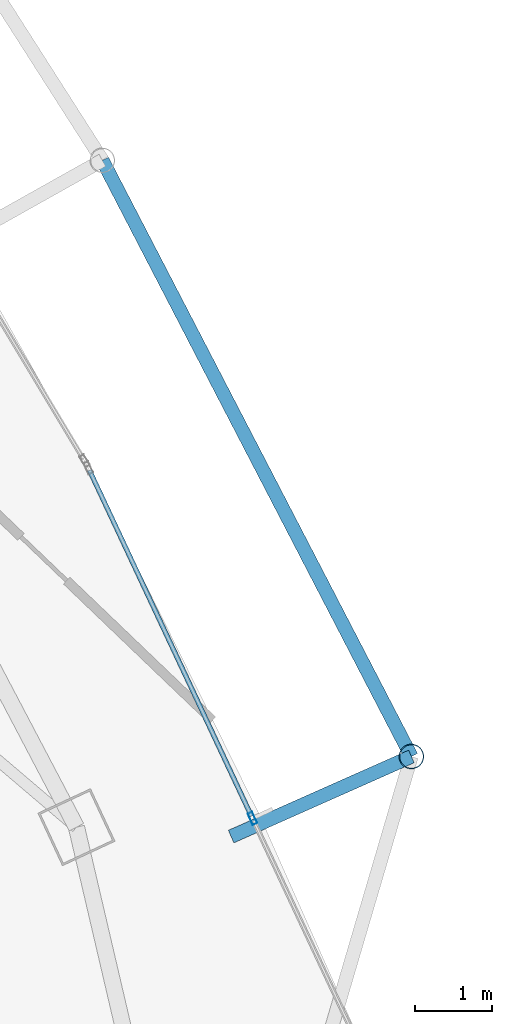
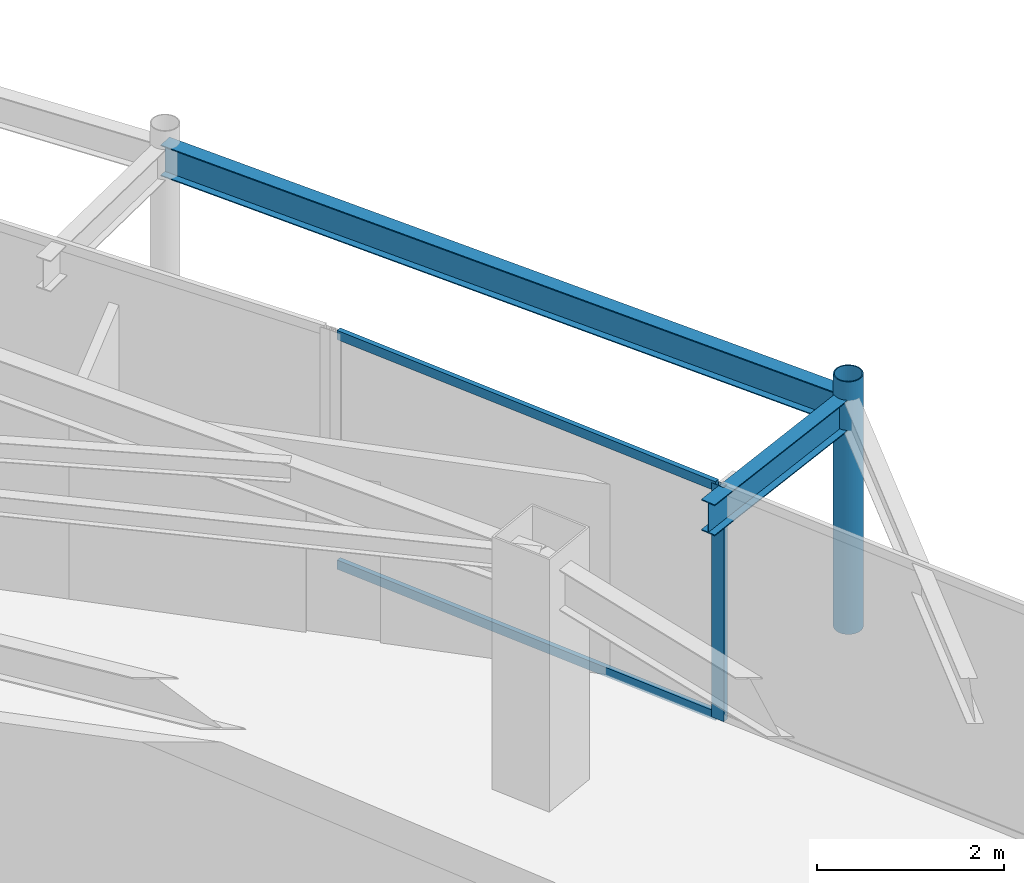
# One storey, part 19 of 32: 4 members, 2 beams, 1 element without a shape of its own.
"""IFC4 building model written with IfcOpenShell, lengths in metres."""

import ifcopenshell
import ifcopenshell.guid

model = None  # the IFC model being written
_history = None  # IfcOwnerHistory: only IFC2X3 demands one
_inside = {}  # id of a spatial element -> (the spatial element, [elements in it])
_under = {}  # id of a project, library or spatial element -> (it, [spatial elements below it])
_declared = {}  # id of a project -> (the project, [libraries it declares])
_typed = {}  # id of a type object -> (the type object, [elements of that type])
_made_of = {}  # id of a material, layer set ... -> (it, [elements and type objects made of it])


def new_model(schema):
    """Start an empty IFC model of exactly this schema.

    Asked for "IFC4X3", IfcOpenShell would pick the latest addendum, in which some entities
    have other attributes; the version numbers below select the first issue.
    IFC2X3 requires an IfcOwnerHistory on every rooted entity: one is made here for all.
    """
    global model, _history
    if schema == "IFC4X3":
        model = ifcopenshell.file(schema_version=(4, 3, 0, 0))
    else:
        model = ifcopenshell.file(schema=schema)
    _inside.clear()
    _under.clear()
    _declared.clear()
    _typed.clear()
    _made_of.clear()
    _history = None
    if model.schema == "IFC2X3":
        org = make("IfcOrganization", Name="unknown")
        user = make(
            "IfcPersonAndOrganization",
            ThePerson=make("IfcPerson", FamilyName="unknown"),
            TheOrganization=org,
        )
        app = make(
            "IfcApplication",
            ApplicationDeveloper=org,
            Version="unknown",
            ApplicationFullName="unknown",
            ApplicationIdentifier="unknown",
        )
        _history = make(
            "IfcOwnerHistory",
            OwningUser=user,
            OwningApplication=app,
            ChangeAction="ADDED",
            CreationDate=0,
        )
    return model


def make(cls, **values):
    """One entity of the class cls with the attributes given. An attribute that is None is left unset."""
    return model.create_entity(
        cls, **{name: value for name, value in values.items() if value is not None}
    )


def rooted(cls, **values):
    """An entity with a GlobalId (a new one), such as an element, a storey or a relation."""
    return make(cls, GlobalId=ifcopenshell.guid.new(), OwnerHistory=_history, **values)


def si_unit(unit_type, name, prefix=None):
    """IfcSIUnit, for example si_unit("LENGTHUNIT", "METRE", prefix="MILLI")."""
    return make("IfcSIUnit", UnitType=unit_type, Prefix=prefix, Name=name)


def assignment(units):
    """IfcUnitAssignment: the units of a project."""
    return None if units is None else make("IfcUnitAssignment", Units=units)


def point(xyz):
    """IfcCartesianPoint."""
    return None if xyz is None else make("IfcCartesianPoint", Coordinates=xyz)


def direction(xyz):
    """IfcDirection."""
    return None if xyz is None else make("IfcDirection", DirectionRatios=xyz)


def frame(location, z_axis=None, x_axis=None):
    """IfcAxis2Placement3D, a coordinate frame: its origin and axes. An axis left out is left unset."""
    return make(
        "IfcAxis2Placement3D",
        Location=point(location),
        Axis=direction(z_axis),
        RefDirection=direction(x_axis),
    )


def frame_2d(location, x_axis=None):
    """IfcAxis2Placement2D, a coordinate frame in the plane: its origin and x axis."""
    return make(
        "IfcAxis2Placement2D", Location=point(location), RefDirection=direction(x_axis)
    )


def origin():
    """The frame at (0, 0, 0) with its axes left unset."""
    return frame((0.0, 0.0, 0.0))


def origin_2d():
    """The frame at (0, 0) in the plane with its x axis left unset."""
    return frame_2d((0.0, 0.0))


def place(relative_to, where):
    """IfcLocalPlacement: puts the frame where relative to a parent placement (None: the world)."""
    return make(
        "IfcLocalPlacement", PlacementRelTo=relative_to, RelativePlacement=where
    )


def context(
    kind, dimensions, precision=None, world=None, true_north=None, identifier=None
):
    """IfcGeometricRepresentationContext, for example the 3D "Model" context."""
    return make(
        "IfcGeometricRepresentationContext",
        ContextIdentifier=identifier,
        ContextType=kind,
        CoordinateSpaceDimension=dimensions,
        Precision=precision,
        WorldCoordinateSystem=world,
        TrueNorth=true_north,
    )


def subcontext(parent, identifier, kind, view, scale=None):
    """IfcGeometricRepresentationSubContext, for example "Body" below "Model"."""
    return make(
        "IfcGeometricRepresentationSubContext",
        ContextIdentifier=identifier,
        ContextType=kind,
        ParentContext=parent,
        TargetScale=scale,
        TargetView=view,
    )


def project(units=None, contexts=None):
    """IfcProject with its units and contexts."""
    return rooted(
        "IfcProject",
        Name="project",
        RepresentationContexts=contexts,
        UnitsInContext=assignment(units),
    )


def spatial(cls, under=None, at=None, **own):
    """A site, building, storey or space (cls), placed at a placement, below another one or the project."""
    s = rooted(cls, ObjectPlacement=at, **own)
    if under is not None:
        _under.setdefault(under.id(), (under, []))[1].append(s)
    return s


def profile(cls, at=None, kind="AREA", **sizes):
    """A parametric profile (cls). Its sizes go by their IFC names, for example OverallWidth=200.0."""
    return make(cls, ProfileType=kind, Position=at, **sizes)


def hollow_rectangle(**sizes):
    """IfcRectangleHollowProfileDef."""
    return profile("IfcRectangleHollowProfileDef", **sizes)


def hollow_circle(**sizes):
    """IfcCircleHollowProfileDef."""
    return profile("IfcCircleHollowProfileDef", **sizes)


def i_section(**sizes):
    """IfcIShapeProfileDef."""
    return profile("IfcIShapeProfileDef", **sizes)


def extrude(swept, where, along, depth):
    """IfcExtrudedAreaSolid: the profile swept, set in the frame where, extruded along a direction by depth."""
    return make(
        "IfcExtrudedAreaSolid",
        SweptArea=swept,
        Position=where,
        ExtrudedDirection=direction(along),
        Depth=depth,
    )


def shape(context_of_items, identifier, shape_type, items):
    """IfcShapeRepresentation: the items that make up one representation, for example the "Body"."""
    return make(
        "IfcShapeRepresentation",
        ContextOfItems=context_of_items,
        RepresentationIdentifier=identifier,
        RepresentationType=shape_type,
        Items=items,
    )


def material(Name=None, Category=None):
    """IfcMaterial."""
    return make("IfcMaterial", Name=Name, Category=Category)


def layer(
    of_material, thickness, ventilated=None, Name=None, Category=None, Priority=None
):
    """IfcMaterialLayer: one layer of a wall or slab, of a material (None: an air gap)."""
    return make(
        "IfcMaterialLayer",
        Material=of_material,
        LayerThickness=thickness,
        IsVentilated=ventilated,
        Name=Name,
        Category=Category,
        Priority=Priority,
    )


def layer_set(layers, Name=None):
    """IfcMaterialLayerSet."""
    return make("IfcMaterialLayerSet", MaterialLayers=layers, LayerSetName=Name)


def material_profile(
    of_material, cross_section, Name=None, Category=None, Priority=None
):
    """IfcMaterialProfile: a cross section and its material."""
    return make(
        "IfcMaterialProfile",
        Name=Name,
        Material=of_material,
        Profile=cross_section,
        Priority=Priority,
        Category=Category,
    )


def profile_set(profiles, Name=None, composite=None):
    """IfcMaterialProfileSet."""
    return make(
        "IfcMaterialProfileSet",
        Name=Name,
        MaterialProfiles=profiles,
        CompositeProfile=composite,
    )


def made_of(thing, what):
    """Note that an element or type object is made of a material, layer set ...; save() writes the relation."""
    if what is not None:
        _made_of.setdefault(what.id(), (what, []))[1].append(thing)
    return thing


def type_object(cls, material=None, **own):
    """A type object (cls), such as IfcWallType, which elements share."""
    return made_of(rooted(cls, **own), material)


def element(
    cls,
    number,
    at=None,
    inside=None,
    cuts=None,
    type_object=None,
    material=None,
    context=None,
    identifier="Body",
    shape_type=None,
    held_by="IfcProductDefinitionShape",
    body=None,
    shapes=None,
    **own,
):
    """One element of the class cls, such as IfcWall. Its Tag is "e" and its number.

    at: its placement. inside: the storey or other place that contains it. cuts: it is an
    opening in that element (IfcRelVoidsElement). A single representation is given by context,
    identifier, shape_type and body (its items); several are given by shapes. held_by: the class
    of the entity that holds the representations. save() writes the other relations.
    """
    e = rooted(cls, Tag="e%d" % number, ObjectPlacement=at, **own)
    if body is not None:
        shapes = [shape(context, identifier, shape_type, body)]
    if shapes is not None:
        e.Representation = make(held_by, Representations=shapes)
    if inside is not None:
        _inside.setdefault(inside.id(), (inside, []))[1].append(e)
    if cuts is not None:
        rooted(
            "IfcRelVoidsElement", RelatingBuildingElement=cuts, RelatedOpeningElement=e
        )
    if type_object is not None:
        _typed.setdefault(type_object.id(), (type_object, []))[1].append(e)
    return made_of(e, material)


def aggregate(whole, parts):
    """IfcRelAggregates: a whole, such as a stair, and the parts it consists of."""
    return rooted("IfcRelAggregates", RelatingObject=whole, RelatedObjects=parts)


def save(model, path):
    """Write the relations noted so far, then the file.

    IfcRelAggregates (storeys below a building ...), IfcRelContainedInSpatialStructure (elements
    in a storey), IfcRelDefinesByType, IfcRelAssociatesMaterial and IfcRelDeclares: one each for
    every whole, place, type object, material and project.
    """
    for whole, parts in _under.values():
        aggregate(whole, parts)
    for where, things in _inside.values():
        rooted(
            "IfcRelContainedInSpatialStructure",
            RelatedElements=things,
            RelatingStructure=where,
        )
    for kind, things in _typed.values():
        rooted("IfcRelDefinesByType", RelatedObjects=things, RelatingType=kind)
    for what, things in _made_of.values():
        rooted("IfcRelAssociatesMaterial", RelatedObjects=things, RelatingMaterial=what)
    for by, libraries in _declared.values():
        rooted("IfcRelDeclares", RelatingContext=by, RelatedDefinitions=libraries)
    model.write(path)


model = new_model("IFC4")

# Units and contexts
model_context = context("Model", 3, precision=1e-05, world=origin(), true_north=direction((0.0, 1.0)))
body_context = subcontext(model_context, "Body", "Model", "MODEL_VIEW")
ifc_project = project(units=[si_unit("LENGTHUNIT", "METRE"), si_unit("AREAUNIT", "SQUARE_METRE"), si_unit("VOLUMEUNIT", "CUBIC_METRE"), si_unit("PLANEANGLEUNIT", "RADIAN"), si_unit("MASSUNIT", "GRAM", prefix="KILO")], contexts=[model_context])

# Site, building, storey
site_placement = place(None, origin())
site = spatial("IfcSite", under=ifc_project, at=site_placement, CompositionType="ELEMENT")
building_placement = place(site_placement, origin())
building = spatial("IfcBuilding", under=site, at=building_placement, Name="Orvanel Arch Residences", CompositionType="ELEMENT")
storey_placement = place(building_placement, frame((0.0, 0.0, 216.199951171875)))
storey = spatial("IfcBuildingStorey", under=building, at=storey_placement, Name="L61", CompositionType="ELEMENT", Elevation=216.199951171875)

# Curtain wall, member
ifc_material_1 = material(Name="Bronze-anodised aluminium AA6063-T6", Category="aluminium")
ifc_layer = layer(ifc_material_1, 0.175048828125)
ifc_layer_set = layer_set([ifc_layer], Name="Bronze-anodised aluminium AA6063-T6")
curtain_wall_type = type_object("IfcCurtainWallType", Name="CW4-HI-SYS", PredefinedType="NOTDEFINED", material=ifc_layer_set)
curtain_wall_placement = place(storey_placement, origin())
curtain_wall = element("IfcCurtainWall", 1, at=curtain_wall_placement, inside=storey, type_object=curtain_wall_type, Name="L61 CW4-HI-SYS Unitised Curtain Wall", PredefinedType="NOTDEFINED")
ifc_material_profile_1 = material_profile(ifc_material_1, hollow_rectangle(XDim=0.06494140625, YDim=0.159912109375, WallThickness=0.00390625, at=origin_2d()), Name="ALU160x65x4")
ifc_profile_set_1 = profile_set([ifc_material_profile_1], Name="Bronze-anodised aluminium AA6063-T6")
member_type_1 = type_object("IfcMemberType", Name="MUL-160x65", PredefinedType="MULLION", material=ifc_profile_set_1)
member_1_placement = place(storey_placement, frame((51.908447265625, 19.756103515625, 0.0), z_axis=(0.0, 0.0, 1.0), x_axis=(-0.905611523567, -0.424108203626, 0.0)))
member_1 = element("IfcMember", 2, at=member_1_placement, type_object=member_type_1, Name="CW-S4 mullion 2", PredefinedType="MULLION", context=body_context, shape_type="SweptSolid", body=[
    extrude(hollow_rectangle(XDim=0.06494140625, YDim=0.159912109375, WallThickness=0.00390625, at=origin_2d()), origin(), (0.0, 0.0, 1.0), 3.06005859375),
])

# Beams
ifc_material_2 = material(Name="Structural steel AS/NZS 3679.1 Grade 300 (300 MPa)", Category="steel")
ifc_material_profile_2 = material_profile(ifc_material_2, i_section(OverallWidth=0.177978515625, OverallDepth=0.406005859375, WebThickness=0.0078125, FlangeThickness=0.0126953125, at=origin_2d()), Name="410UB59.7")
ifc_profile_set_2 = profile_set([ifc_material_profile_2], Name="Structural steel AS/NZS 3679.1 Grade 300 (300 MPa)")
beam_type = type_object("IfcBeamType", Name="OB-410UB-EXT", PredefinedType="SPANDREL", material=ifc_profile_set_2)
beam_1_placement = place(storey_placement, frame((51.632080078125, 19.52099609375, 2.85693359375), z_axis=(0.913957555505, 0.405809791326, 0.0), x_axis=(-0.405809791326, 0.913957555505, 0.0)))
element("IfcBeam", 3, at=beam_1_placement, inside=storey, type_object=beam_type, Name="L61 Outer Frame Radial Tie Beam 09", PredefinedType="SPANDREL", context=body_context, shape_type="SweptSolid", body=[
    extrude(i_section(OverallWidth=0.177978515625, OverallDepth=0.406005859375, WebThickness=0.0078125, FlangeThickness=0.0126953125, at=origin_2d()), origin(), (0.0, 0.0, 1.0), 2.55029296875),
])
beam_2_placement = place(storey_placement, frame((53.962890625, 20.555908203125, 2.85693359375), z_axis=(-0.460193201486, 0.887818797563, 0.0), x_axis=(-0.887818797563, -0.460193201486, 0.0)))
element("IfcBeam", 4, at=beam_2_placement, inside=storey, type_object=beam_type, Name="L61 Outer Perimeter Floor Ring Beam 09", PredefinedType="SPANDREL", context=body_context, shape_type="SweptSolid", body=[
    extrude(i_section(OverallWidth=0.177978515625, OverallDepth=0.406005859375, WebThickness=0.0078125, FlangeThickness=0.0126953125, at=origin_2d()), origin(), (0.0, 0.0, 1.0), 8.680908203125),
])

# Member
ifc_material_3 = material(Name="Structural steel AS/NZS 1163 C350L0 (Grade 350)", Category="steel")
ifc_material_profile_3 = material_profile(ifc_material_3, hollow_circle(Radius=0.162109375, WallThickness=0.0126953125, at=origin_2d()), Name="CHS324x12.7")
ifc_profile_set_3 = profile_set([ifc_material_profile_3], Name="Structural steel AS/NZS 1163 C350L0 (Grade 350)")
member_type_2 = type_object("IfcMemberType", Name="ST-324CHS-EXT", PredefinedType="STRUT", material=ifc_profile_set_3)
member_2_placement = place(storey_placement, frame((53.962890625, 20.555908203125, 0.0), z_axis=(0.0, 0.0, 1.0), x_axis=(1.0, 0.0, 0.0)))
element("IfcMember", 5, at=member_2_placement, inside=storey, type_object=member_type_2, Name="L61 Outer Perimeter Frame Post 09", PredefinedType="STRUT", context=body_context, shape_type="SweptSolid", body=[
    extrude(hollow_circle(Radius=0.162109375, WallThickness=0.0126953125, at=origin_2d()), origin(), (0.0, 0.0, 1.0), 3.300048828125),
])

ifc_material_profile_4 = material_profile(ifc_material_1, hollow_rectangle(XDim=0.06005859375, YDim=0.1201171875, WallThickness=0.00341796875, at=origin_2d()), Name="ALU120x60x3.5")
ifc_profile_set_4 = profile_set([ifc_material_profile_4], Name="Bronze-anodised aluminium AA6063-T6")
member_type_3 = type_object("IfcMemberType", Name="TRN-120x60", PredefinedType="USERDEFINED", material=ifc_profile_set_4)
member_3_placement = place(storey_placement, frame((51.894775390625, 19.785400390625, 0.030029296875), z_axis=(-0.424124761503, 0.90560376914, 0.0), x_axis=(-0.90560376914, -0.424124761503, 0.0)))
member_3 = element("IfcMember", 6, at=member_3_placement, type_object=member_type_3, Name="CW-S4 transom 2.1", ObjectType="TRANSOM", PredefinedType="USERDEFINED", context=body_context, shape_type="SweptSolid", body=[
    extrude(hollow_rectangle(XDim=0.06005859375, YDim=0.1201171875, WallThickness=0.00341796875, at=origin_2d()), origin(), (0.0, 0.0, 1.0), 4.937744140625),
])

member_4_placement = place(storey_placement, frame((51.894775390625, 19.785400390625, 3.030029296875), z_axis=(-0.424124761503, 0.90560376914, 0.0), x_axis=(-0.90560376914, -0.424124761503, 0.0)))
member_4 = element("IfcMember", 7, at=member_4_placement, type_object=member_type_3, Name="CW-S4 transom 2.2", ObjectType="TRANSOM", PredefinedType="USERDEFINED", context=body_context, shape_type="SweptSolid", body=[
    extrude(hollow_rectangle(XDim=0.06005859375, YDim=0.1201171875, WallThickness=0.00341796875, at=origin_2d()), origin(), (0.0, 0.0, 1.0), 4.937744140625),
])

aggregate(curtain_wall, [member_1, member_3, member_4])

save(model, "model.ifc")
